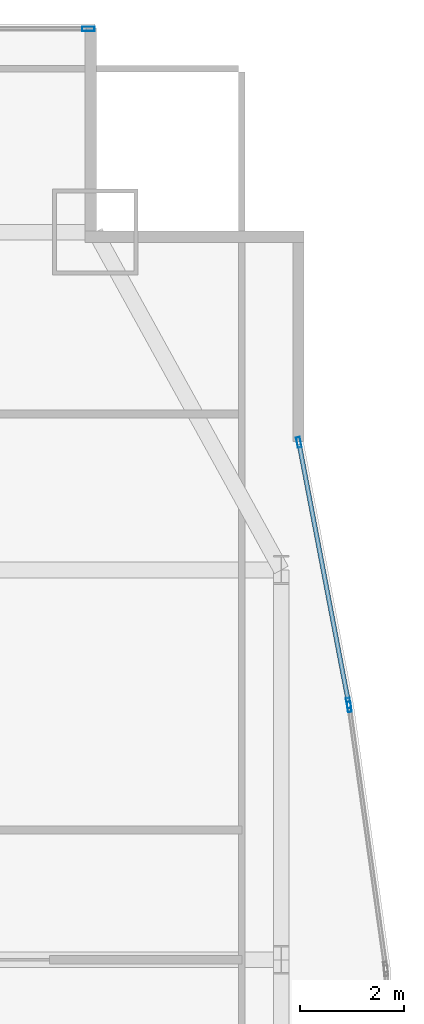
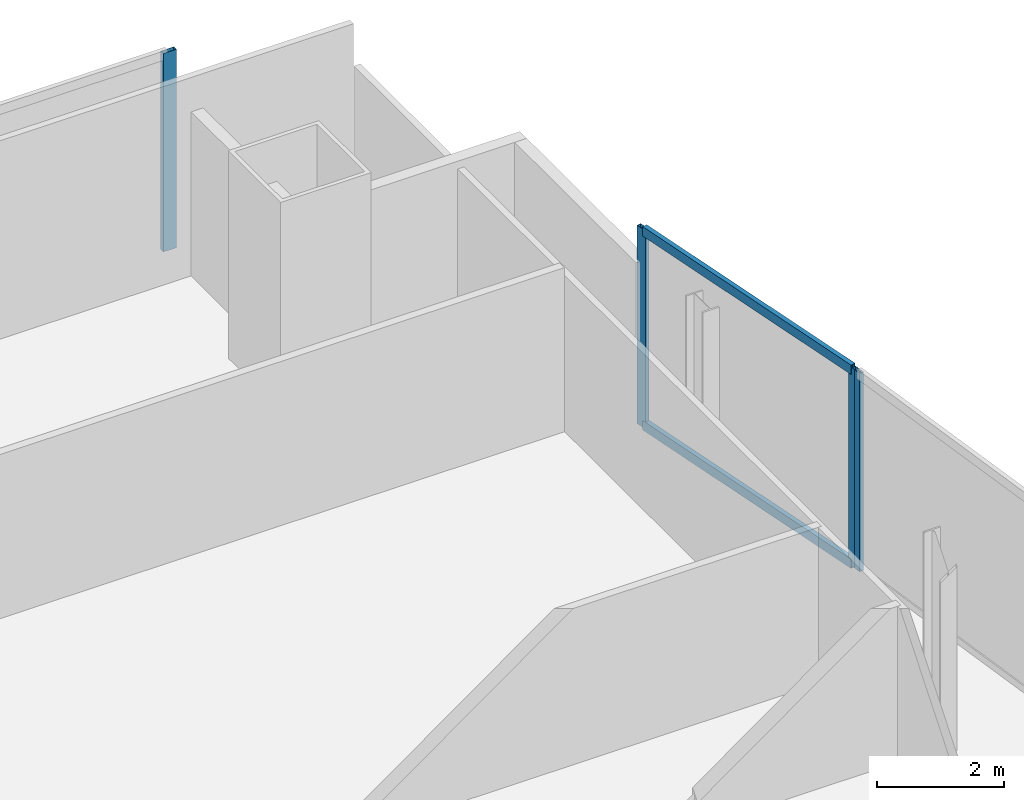
# One storey, part 26 of 37: 6 members, 3 elements without a shape of their own.
"""IFC4 building model written with IfcOpenShell, lengths in metres."""

from ifc_helpers import new_model, si_unit, direction, frame, origin, origin_2d, place, context, subcontext, project, spatial, hollow_rectangle, extrude, material, material_profile, profile_set, type_object, element, aggregate, save


model = new_model("IFC4")

# Units and contexts
model_context = context("Model", 3, precision=1e-05, world=origin(), true_north=direction((0.0, 1.0)))
body_context = subcontext(model_context, "Body", "Model", "MODEL_VIEW")
ifc_project = project(units=[si_unit("LENGTHUNIT", "METRE"), si_unit("AREAUNIT", "SQUARE_METRE"), si_unit("VOLUMEUNIT", "CUBIC_METRE"), si_unit("PLANEANGLEUNIT", "RADIAN"), si_unit("MASSUNIT", "GRAM", prefix="KILO")], contexts=[model_context])

# Site, building, storey
site_placement = place(None, origin())
site = spatial("IfcSite", under=ifc_project, at=site_placement, CompositionType="ELEMENT")
building_placement = place(site_placement, origin())
building = spatial("IfcBuilding", under=site, at=building_placement, Name="Khoronbel Lancet Exchange", CompositionType="ELEMENT")
storey_placement = place(building_placement, frame((0.0, 0.0, 45.800048828125)))
storey = spatial("IfcBuildingStorey", under=building, at=storey_placement, Name="L10", CompositionType="ELEMENT", Elevation=45.800048828125)

# Curtain wall, member
ifc_material_1 = material(Name="Low-E Solar Control Insulating Glass", Category="glass")
curtain_wall_type_1 = type_object("IfcCurtainWallType", Name="CW-1", PredefinedType="NOTDEFINED", material=ifc_material_1)
curtain_wall_1_placement = place(storey_placement, origin())
curtain_wall_1 = element("IfcCurtainWall", 1, at=curtain_wall_1_placement, inside=storey, type_object=curtain_wall_type_1, Name="Unitised curtain wall CW-L10-NEFLK", PredefinedType="NOTDEFINED")
ifc_material_2 = material(Name="Bronze-Anodised Aluminium 6063-T6", Category="aluminium")
ifc_material_profile_1 = material_profile(ifc_material_2, hollow_rectangle(XDim=0.0849609375, YDim=0.239990234375, WallThickness=0.006103515625, at=origin_2d()), Name="ALU MULLION 85x240")
ifc_profile_set_1 = profile_set([ifc_material_profile_1], Name="Bronze-Anodised Aluminium 6063-T6")
member_type_1 = type_object("IfcMemberType", Name="MEM-CWM1", PredefinedType="MULLION", material=ifc_profile_set_1)
member_1_placement = place(storey_placement, frame((67.91748046875, 53.610107421875, 0.0), z_axis=(0.0, 0.0, 1.0), x_axis=(0.0, -1.0, 0.0)))
member_1 = element("IfcMember", 2, at=member_1_placement, type_object=member_type_1, Name="CW1 mullion 1", PredefinedType="MULLION", context=body_context, shape_type="SweptSolid", body=[
    extrude(hollow_rectangle(XDim=0.0849609375, YDim=0.239990234375, WallThickness=0.006103515625, at=origin_2d()), origin(), (0.0, 0.0, 1.0), 3.820068359375),
])
aggregate(curtain_wall_1, [member_1])

# Curtain wall, members
curtain_wall_type_2 = type_object("IfcCurtainWallType", Name="CW-4", PredefinedType="NOTDEFINED", material=ifc_material_1)
curtain_wall_2_placement = place(storey_placement, origin())
curtain_wall_2 = element("IfcCurtainWall", 3, at=curtain_wall_2_placement, inside=storey, type_object=curtain_wall_type_2, Name="Unitised curtain wall CW-L10-E17", PredefinedType="NOTDEFINED")
ifc_material_profile_2 = material_profile(ifc_material_2, hollow_rectangle(XDim=0.074951171875, YDim=0.199951171875, WallThickness=0.0048828125, at=origin_2d()), Name="ALU MULLION 75x200")
ifc_profile_set_2 = profile_set([ifc_material_profile_2], Name="Bronze-Anodised Aluminium 6063-T6")
member_type_2 = type_object("IfcMemberType", Name="MEM-CWM2", PredefinedType="MULLION", material=ifc_profile_set_2)
member_2_placement = place(storey_placement, frame((71.967041015625, 45.65478515625, 0.0), z_axis=(0.0, 0.0, 1.0), x_axis=(0.982279223099, 0.187423391996, 0.0)))
member_2 = element("IfcMember", 4, at=member_2_placement, type_object=member_type_2, Name="CW4 mullion 1", PredefinedType="MULLION", context=body_context, shape_type="SweptSolid", body=[
    extrude(hollow_rectangle(XDim=0.074951171875, YDim=0.199951171875, WallThickness=0.0048828125, at=origin_2d()), origin(), (0.0, 0.0, 1.0), 3.820068359375),
])
member_3_placement = place(storey_placement, frame((72.924072265625, 40.638916015625, 0.0), z_axis=(0.0, 0.0, 1.0), x_axis=(0.982279223099, 0.187423391996, 0.0)))
member_3 = element("IfcMember", 5, at=member_3_placement, type_object=member_type_2, Name="CW4 mullion 2", PredefinedType="MULLION", context=body_context, shape_type="SweptSolid", body=[
    extrude(hollow_rectangle(XDim=0.074951171875, YDim=0.199951171875, WallThickness=0.0048828125, at=origin_2d()), origin(), (0.0, 0.0, 1.0), 3.820068359375),
])

# Curtain wall, member
curtain_wall_3_placement = place(storey_placement, origin())
curtain_wall_3 = element("IfcCurtainWall", 6, at=curtain_wall_3_placement, inside=storey, type_object=curtain_wall_type_2, Name="Unitised curtain wall CW-L10-E18", PredefinedType="NOTDEFINED")
member_4_placement = place(storey_placement, frame((72.936279296875, 40.56494140625, 0.0), z_axis=(0.0, 0.0, 1.0), x_axis=(0.990384767809, 0.138340202733, 0.0)))
member_4 = element("IfcMember", 7, at=member_4_placement, type_object=member_type_2, Name="CW4 mullion 1", PredefinedType="MULLION", context=body_context, shape_type="SweptSolid", body=[
    extrude(hollow_rectangle(XDim=0.074951171875, YDim=0.199951171875, WallThickness=0.0048828125, at=origin_2d()), origin(), (0.0, 0.0, 1.0), 3.820068359375),
])
aggregate(curtain_wall_3, [member_4])

# Member
ifc_material_profile_3 = material_profile(ifc_material_2, hollow_rectangle(XDim=0.0849609375, YDim=0.179931640625, WallThickness=0.0048828125, at=origin_2d()), Name="ALU TRANSOM 85x180")
ifc_profile_set_3 = profile_set([ifc_material_profile_3], Name="Bronze-Anodised Aluminium 6063-T6")
member_type_3 = type_object("IfcMemberType", Name="MEM-CWT1", PredefinedType="USERDEFINED", material=ifc_profile_set_3)
member_5_placement = place(storey_placement, frame((71.97412109375, 45.617919921875, 0.04248046875), z_axis=(0.187401973125, -0.982283309676, 0.0), x_axis=(0.982283309676, 0.187401973125, 0.0)))
member_5 = element("IfcMember", 8, at=member_5_placement, type_object=member_type_3, Name="CW4 transom 1.1", ObjectType="TRANSOM", PredefinedType="USERDEFINED", context=body_context, shape_type="SweptSolid", body=[
    extrude(hollow_rectangle(XDim=0.0849609375, YDim=0.179931640625, WallThickness=0.0048828125, at=origin_2d()), origin(), (0.0, 0.0, 1.0), 5.03125),
])

member_6_placement = place(storey_placement, frame((71.97412109375, 45.617919921875, 3.77734375), z_axis=(0.187401973125, -0.982283309676, 0.0), x_axis=(0.982283309676, 0.187401973125, 0.0)))
member_6 = element("IfcMember", 9, at=member_6_placement, type_object=member_type_3, Name="CW4 transom 1.2", ObjectType="TRANSOM", PredefinedType="USERDEFINED", context=body_context, shape_type="SweptSolid", body=[
    extrude(hollow_rectangle(XDim=0.0849609375, YDim=0.179931640625, WallThickness=0.0048828125, at=origin_2d()), origin(), (0.0, 0.0, 1.0), 5.03125),
])

aggregate(curtain_wall_2, [member_2, member_3, member_5, member_6])

save(model, "model.ifc")
